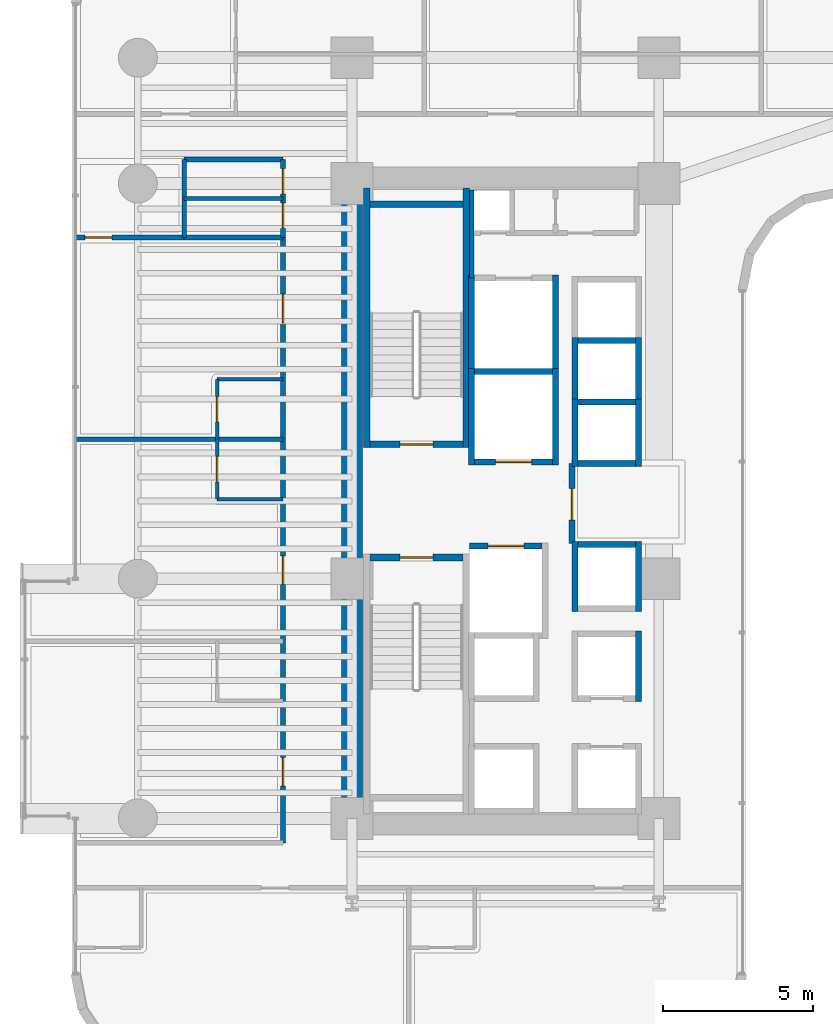
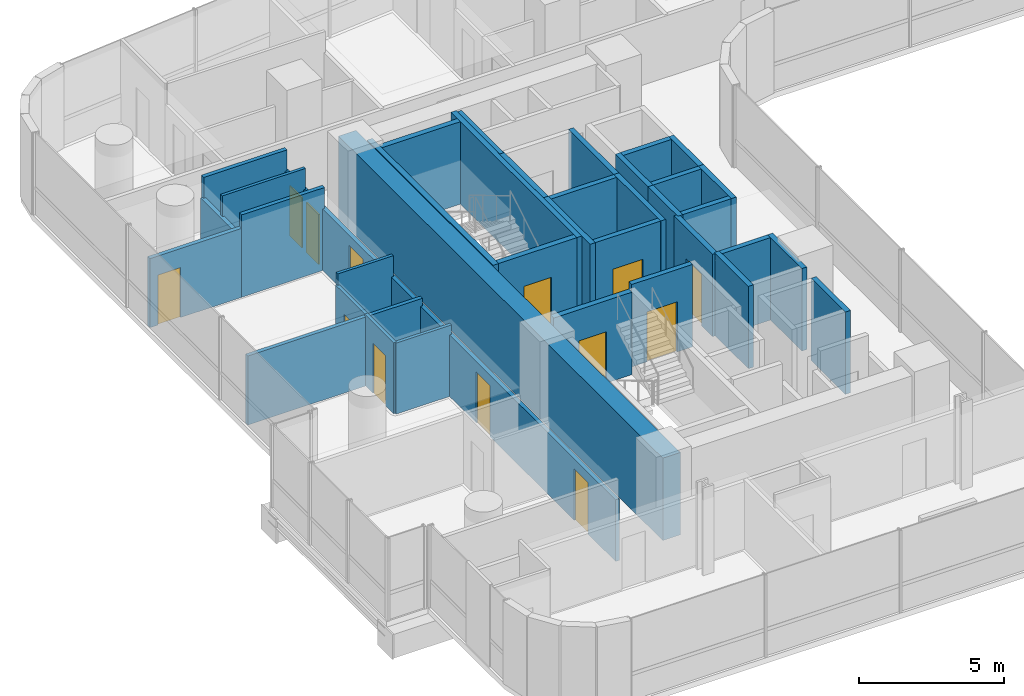
# One storey, part 31 of 41: 38 walls, 13 doors, 13 openings.
"""IFC4 building model written with IfcOpenShell, lengths in metres."""

from ifc_helpers import new_model, si_unit, direction, frame, frame_2d, origin, place, context, subcontext, project, spatial, rectangle, extrude, material, layer, layer_set, type_object, element, fill, save


model = new_model("IFC4")

# Units and contexts
model_context = context("Model", 3, precision=1e-05, world=origin(), true_north=direction((0.0, 1.0)))
body_context = subcontext(model_context, "Body", "Model", "MODEL_VIEW")
ifc_project = project(units=[si_unit("LENGTHUNIT", "METRE"), si_unit("AREAUNIT", "SQUARE_METRE"), si_unit("VOLUMEUNIT", "CUBIC_METRE"), si_unit("PLANEANGLEUNIT", "RADIAN"), si_unit("MASSUNIT", "GRAM", prefix="KILO")], contexts=[model_context])

# Site, building, storey
site_placement = place(None, origin())
site = spatial("IfcSite", under=ifc_project, at=site_placement, CompositionType="ELEMENT")
building_placement = place(site_placement, origin())
building = spatial("IfcBuilding", under=site, at=building_placement, Name="Valdorenza Pilgrim Sanctuary Tower", CompositionType="ELEMENT")
storey_placement = place(building_placement, frame((0.0, 0.0, 59.300048828125)))
storey = spatial("IfcBuildingStorey", under=building, at=storey_placement, Name="L14", CompositionType="ELEMENT", Elevation=59.300048828125)

# Walls
ifc_material_1 = material(Name="Acoustic twin-stud gypsum partition", Category="gypsum")
ifc_layer_1 = layer(ifc_material_1, 0.159912109375, Name="Acoustic twin-stud gypsum partition")
ifc_layer_set_1 = layer_set([ifc_layer_1], Name="Acoustic twin-stud gypsum partition")
wall_type_1 = type_object("IfcWallType", Name="WAL-COR-160", PredefinedType="PARTITIONING", material=ifc_layer_set_1)
wall_1_placement = place(storey_placement, frame((-18.64990234375, 7.449951171875, 0.0), z_axis=(0.0, 0.0, 1.0), x_axis=(0.0, 1.0, 0.0)))
element("IfcWall", 1, at=wall_1_placement, inside=storey, type_object=wall_type_1, Name="L14 Core A North Service West Wall", PredefinedType="PARTITIONING", context=body_context, shape_type="SweptSolid", body=[
    extrude(rectangle(XDim=2.929931640625, YDim=0.159912109375, at=frame_2d((1.46484375, 0.0))), origin(), (0.0, 0.0, 1.0), 3.4599609375),
])
wall_2_placement = place(storey_placement, frame((-28.25, 8.800048828125, 0.0), z_axis=(0.0, 0.0, 1.0), x_axis=(0.0, 1.0, 0.0)))
element("IfcWall", 2, at=wall_2_placement, inside=storey, type_object=wall_type_1, Name="L14 Washroom West Wall", PredefinedType="PARTITIONING", context=body_context, shape_type="SweptSolid", body=[
    extrude(rectangle(XDim=2.599853515625, YDim=0.159912109375, at=frame_2d((1.2998046875, 0.0))), origin(), (0.0, 0.0, 1.0), 2.5830078125),
])

# Wall, openings, doors
wall_3_placement = place(storey_placement, frame((-24.949951171875, 8.800048828125, 0.0), z_axis=(0.0, 0.0, 1.0), x_axis=(0.0, 1.0, 0.0)))
wall_3 = element("IfcWall", 3, at=wall_3_placement, inside=storey, type_object=wall_type_1, Name="L14 Washroom East Wall", PredefinedType="PARTITIONING", context=body_context, shape_type="SweptSolid", body=[
    extrude(rectangle(XDim=2.599853515625, YDim=0.159912109375, at=frame_2d((1.2998046875, 0.0))), origin(), (0.0, 0.0, 1.0), 2.5830078125),
])
opening_1_placement = place(wall_3_placement, frame((0.300048828125, 0.0, 0.0)))
opening_1 = element("IfcOpeningElement", 4, at=opening_1_placement, cuts=wall_3, Name="Opening DR-WC1", PredefinedType="OPENING", context=body_context, shape_type="SweptSolid", body=[
    extrude(rectangle(XDim=0.85009765625, YDim=2.10009765625, at=frame_2d((0.425048828125, 1.050048828125))), frame((0.0, 0.0947265625, 0.0), z_axis=(0.0, -1.0, 0.0), x_axis=(1.0, 0.0, 0.0)), (0.0, 0.0, 1.0), 0.189697265625),
])
opening_2_placement = place(wall_3_placement, frame((1.449951171875, 0.0, 0.0)))
opening_2 = element("IfcOpeningElement", 5, at=opening_2_placement, cuts=wall_3, Name="Opening DR-WC1", PredefinedType="OPENING", context=body_context, shape_type="SweptSolid", body=[
    extrude(rectangle(XDim=0.85009765625, YDim=2.10009765625, at=frame_2d((0.425048828125, 1.050048828125))), frame((0.0, 0.0947265625, 0.0), z_axis=(0.0, -1.0, 0.0), x_axis=(1.0, 0.0, 0.0)), (0.0, 0.0, 1.0), 0.189697265625),
])
ifc_material_2 = material(Name="Moisture-resistant lacquered timber", Category="wood")
door_type_1 = type_object("IfcDoorType", Name="DR-BATH-850", OperationType="NOTDEFINED", PredefinedType="DOOR", material=ifc_material_2)
door_1_placement = place(opening_1_placement, origin())
door_1 = element("IfcDoor", 6, at=door_1_placement, inside=storey, type_object=door_type_1, Name="L14 Accessible Washroom Door", OperationType="SINGLE_SWING_RIGHT", OverallHeight=2.10009765625, OverallWidth=0.85009765625, PredefinedType="DOOR", context=body_context, shape_type="SweptSolid", body=[
    extrude(rectangle(XDim=0.85009765625, YDim=2.10009765625, at=frame_2d((0.425048828125, 1.050048828125))), frame((0.0, 0.02490234375, 0.0), z_axis=(0.0, -1.0, 0.0), x_axis=(1.0, 0.0, 0.0)), (0.0, 0.0, 1.0), 0.050048828125),
])
fill(opening_1, door_1)
door_2_placement = place(opening_2_placement, origin())
door_2 = element("IfcDoor", 7, at=door_2_placement, inside=storey, type_object=door_type_1, Name="L14 Public Washroom Door", OperationType="SINGLE_SWING_LEFT", OverallHeight=2.10009765625, OverallWidth=0.85009765625, PredefinedType="DOOR", context=body_context, shape_type="SweptSolid", body=[
    extrude(rectangle(XDim=0.85009765625, YDim=2.10009765625, at=frame_2d((0.425048828125, 1.050048828125))), frame((0.0, 0.02490234375, 0.0), z_axis=(0.0, -1.0, 0.0), x_axis=(1.0, 0.0, 0.0)), (0.0, 0.0, 1.0), 0.050048828125),
])
fill(opening_2, door_2)

# Walls
for number, where, z_axis, x_axis, name in (
    (8, (-28.25, 8.800048828125, 0.0), (0.0, 0.0, 1.0), (1.0, 0.0, 0.0), "L14 Washroom South Wall"),
    (9, (-28.25, 11.39990234375, 0.0), (0.0, 0.0, 1.0), (1.0, 0.0, 0.0), "L14 Washroom North Wall"),
):
    element("IfcWall", number, at=place(storey_placement, frame(where, z_axis=z_axis, x_axis=x_axis)), inside=storey, type_object=wall_type_1, Name=name, PredefinedType="PARTITIONING", context=body_context, shape_type="SweptSolid", body=[
        extrude(rectangle(XDim=3.300048828125, YDim=0.159912109375, at=frame_2d((1.64990234375, 0.0))), origin(), (0.0, 0.0, 1.0), 3.4599609375),
    ])

# Wall, openings, doors
wall_4_placement = place(storey_placement, frame((-24.949951171875, -11.419921875, 0.0), z_axis=(0.0, 0.0, 1.0), x_axis=(0.0, 1.0, 0.0)))
wall_4 = element("IfcWall", 10, at=wall_4_placement, inside=storey, type_object=wall_type_1, Name="L14 West Wing Corridor Wall", PredefinedType="PARTITIONING", context=body_context, shape_type="SweptSolid", body=[
    extrude(rectangle(XDim=20.219970703125, YDim=0.159912109375, at=frame_2d((10.10986328125, 0.0))), origin(), (0.0, 0.0, 1.0), 2.5830078125),
])
opening_3_placement = place(wall_4_placement, frame((1.89501953125, 0.0, 0.0)))
opening_3 = element("IfcOpeningElement", 11, at=opening_3_placement, cuts=wall_4, Name="Opening DR-UN1", PredefinedType="OPENING", context=body_context, shape_type="SweptSolid", body=[
    extrude(rectangle(XDim=0.949951171875, YDim=2.14990234375, at=frame_2d((0.47509765625, 1.074951171875))), frame((0.0, 0.0947265625, 0.0), z_axis=(0.0, -1.0, 0.0), x_axis=(1.0, 0.0, 0.0)), (0.0, 0.0, 1.0), 0.189697265625),
])
opening_4_placement = place(wall_4_placement, frame((8.635009765625, 0.0, 0.0)))
opening_4 = element("IfcOpeningElement", 12, at=opening_4_placement, cuts=wall_4, Name="Opening DR-UN1", PredefinedType="OPENING", context=body_context, shape_type="SweptSolid", body=[
    extrude(rectangle(XDim=0.949951171875, YDim=2.14990234375, at=frame_2d((0.47509765625, 1.074951171875))), frame((0.0, 0.0947265625, 0.0), z_axis=(0.0, -1.0, 0.0), x_axis=(1.0, 0.0, 0.0)), (0.0, 0.0, 1.0), 0.189697265625),
])
opening_5_placement = place(wall_4_placement, frame((17.375, 0.0, 0.0)))
opening_5 = element("IfcOpeningElement", 13, at=opening_5_placement, cuts=wall_4, Name="Opening DR-UN1", PredefinedType="OPENING", context=body_context, shape_type="SweptSolid", body=[
    extrude(rectangle(XDim=0.949951171875, YDim=2.14990234375, at=frame_2d((0.47509765625, 1.074951171875))), frame((0.0, 0.0947265625, 0.0), z_axis=(0.0, -1.0, 0.0), x_axis=(1.0, 0.0, 0.0)), (0.0, 0.0, 1.0), 0.189697265625),
])
ifc_material_3 = material(Name="Solid-core European oak timber", Category="wood")
door_type_2 = type_object("IfcDoorType", Name="DR-UNIT-950", OperationType="NOTDEFINED", PredefinedType="DOOR", material=ifc_material_3)
door_3_placement = place(opening_3_placement, frame((0.949951171875, 0.0, 0.0), z_axis=(0.0, 0.0, 1.0), x_axis=(-1.0, 0.0, 0.0)))
door_3 = element("IfcDoor", 14, at=door_3_placement, inside=storey, type_object=door_type_2, Name="L14 Sanctuary Guest Room L14-W1 Entrance Door", OperationType="SINGLE_SWING_LEFT", OverallHeight=2.14990234375, OverallWidth=0.949951171875, PredefinedType="DOOR", context=body_context, shape_type="SweptSolid", body=[
    extrude(rectangle(XDim=0.949951171875, YDim=2.14990234375, at=frame_2d((0.47509765625, 1.074951171875))), frame((0.0, 0.02490234375, 0.0), z_axis=(0.0, -1.0, 0.0), x_axis=(1.0, 0.0, 0.0)), (0.0, 0.0, 1.0), 0.050048828125),
])
fill(opening_3, door_3)
door_4_placement = place(opening_4_placement, frame((0.949951171875, 0.0, 0.0), z_axis=(0.0, 0.0, 1.0), x_axis=(-1.0, 0.0, 0.0)))
door_4 = element("IfcDoor", 15, at=door_4_placement, inside=storey, type_object=door_type_2, Name="L14 Sanctuary Guest Room L14-W2 Entrance Door", OperationType="SINGLE_SWING_LEFT", OverallHeight=2.14990234375, OverallWidth=0.949951171875, PredefinedType="DOOR", context=body_context, shape_type="SweptSolid", body=[
    extrude(rectangle(XDim=0.949951171875, YDim=2.14990234375, at=frame_2d((0.47509765625, 1.074951171875))), frame((0.0, 0.02490234375, 0.0), z_axis=(0.0, -1.0, 0.0), x_axis=(1.0, 0.0, 0.0)), (0.0, 0.0, 1.0), 0.050048828125),
])
fill(opening_4, door_4)
door_5_placement = place(opening_5_placement, frame((0.949951171875, 0.0, 0.0), z_axis=(0.0, 0.0, 1.0), x_axis=(-1.0, 0.0, 0.0)))
door_5 = element("IfcDoor", 16, at=door_5_placement, inside=storey, type_object=door_type_2, Name="L14 Sanctuary Guest Room L14-W3 Entrance Door", OperationType="SINGLE_SWING_LEFT", OverallHeight=2.14990234375, OverallWidth=0.949951171875, PredefinedType="DOOR", context=body_context, shape_type="SweptSolid", body=[
    extrude(rectangle(XDim=0.949951171875, YDim=2.14990234375, at=frame_2d((0.47509765625, 1.074951171875))), frame((0.0, 0.02490234375, 0.0), z_axis=(0.0, -1.0, 0.0), x_axis=(1.0, 0.0, 0.0)), (0.0, 0.0, 1.0), 0.050048828125),
])
fill(opening_5, door_5)

# Wall, opening, door
wall_5_placement = place(storey_placement, frame((-31.889892578125, 8.800048828125, 0.0), z_axis=(0.0, 0.0, 1.0), x_axis=(1.0, 0.0, 0.0)))
wall_5 = element("IfcWall", 17, at=wall_5_placement, inside=storey, type_object=wall_type_1, Name="L14 West North Alcove Wall", PredefinedType="PARTITIONING", context=body_context, shape_type="SweptSolid", body=[
    extrude(rectangle(XDim=3.639892578125, YDim=0.159912109375, at=frame_2d((1.81982421875, 0.0))), origin(), (0.0, 0.0, 1.0), 2.89599609375),
])
opening_6_placement = place(wall_5_placement, frame((0.320068359375, 0.0, 0.0)))
opening_6 = element("IfcOpeningElement", 18, at=opening_6_placement, cuts=wall_5, Name="Opening DR-RM1", PredefinedType="OPENING", context=body_context, shape_type="SweptSolid", body=[
    extrude(rectangle(XDim=0.89990234375, YDim=2.10009765625, at=frame_2d((0.449951171875, 1.050048828125))), frame((0.0, 0.0947265625, 0.0), z_axis=(0.0, -1.0, 0.0), x_axis=(1.0, 0.0, 0.0)), (0.0, 0.0, 1.0), 0.189697265625),
])
door_type_3 = type_object("IfcDoorType", Name="DR-ROOM-900", OperationType="NOTDEFINED", PredefinedType="DOOR", material=ifc_material_3)
door_6_placement = place(opening_6_placement, origin())
door_6 = element("IfcDoor", 19, at=door_6_placement, inside=storey, type_object=door_type_3, Name="L14 Pilgrim Scholar Office L14-WN Door", OperationType="SINGLE_SWING_RIGHT", OverallHeight=2.10009765625, OverallWidth=0.89990234375, PredefinedType="DOOR", context=body_context, shape_type="SweptSolid", body=[
    extrude(rectangle(XDim=0.89990234375, YDim=2.10009765625, at=frame_2d((0.449951171875, 1.050048828125))), frame((0.0, 0.02490234375, 0.0), z_axis=(0.0, -1.0, 0.0), x_axis=(1.0, 0.0, 0.0)), (0.0, 0.0, 1.0), 0.050048828125),
])
fill(opening_6, door_6)

# Wall
ifc_material_4 = material(Name="Concrete C60/75", Category="concrete")
ifc_layer_2 = layer(ifc_material_4, 0.699951171875, Name="Concrete C60/75")
ifc_layer_set_2 = layer_set([ifc_layer_2], Name="Concrete C60/75")
wall_type_2 = type_object("IfcWallType", Name="WAL-COR-700", PredefinedType="SHEAR", material=ifc_layer_set_2)
wall_6_placement = place(storey_placement, frame((-22.64990234375, -11.14990234375, 0.0), z_axis=(0.0, 0.0, 1.0), x_axis=(0.0, 1.0, 0.0)))
element("IfcWall", 20, at=wall_6_placement, inside=storey, type_object=wall_type_2, Name="L14 Split Core A Shear Wall W", PredefinedType="SHEAR", context=body_context, shape_type="SweptSolid", body=[
    extrude(rectangle(XDim=22.2998046875, YDim=0.699951171875, at=frame_2d((11.14990234375, 0.0))), origin(), (0.0, 0.0, 1.0), 3.4599609375),
])

# Wall, opening, door
ifc_material_5 = material(Name="Gypsum shaftwall partition", Category="gypsum")
ifc_layer_3 = layer(ifc_material_5, 0.199951171875, Name="Gypsum shaftwall partition")
ifc_layer_set_3 = layer_set([ifc_layer_3], Name="Gypsum shaftwall partition")
wall_type_3 = type_object("IfcWallType", Name="WAL-FFL-200", PredefinedType="PARTITIONING", material=ifc_layer_set_3)
wall_7_placement = place(storey_placement, frame((-15.300048828125, -1.419921875, 0.0), z_axis=(0.0, 0.0, 1.0), x_axis=(0.0, 1.0, 0.0)))
wall_7 = element("IfcWall", 21, at=wall_7_placement, inside=storey, type_object=wall_type_3, Name="L14 Core A Firefighting Lobby East Wall", PredefinedType="PARTITIONING", context=body_context, shape_type="SweptSolid", body=[
    extrude(rectangle(XDim=2.669921875, YDim=0.199951171875, at=frame_2d((1.3349609375, 0.0))), origin(), (0.0, 0.0, 1.0), 3.4599609375),
])
opening_7_placement = place(wall_7_placement, frame((0.780029296875, 0.0, 0.0)))
opening_7 = element("IfcOpeningElement", 22, at=opening_7_placement, cuts=wall_7, Name="Opening DR-FL1", PredefinedType="OPENING", context=body_context, shape_type="SweptSolid", body=[
    extrude(rectangle(XDim=1.050048828125, YDim=2.14990234375, at=frame_2d((0.52490234375, 1.074951171875))), frame((0.0, 0.11474609375, 0.0), z_axis=(0.0, -1.0, 0.0), x_axis=(1.0, 0.0, 0.0)), (0.0, 0.0, 1.0), 0.229736328125),
])
ifc_material_6 = material(Name="Painted galvanized steel", Category="steel")
door_type_4 = type_object("IfcDoorType", Name="DR-FFL-1050", OperationType="NOTDEFINED", PredefinedType="DOOR", material=ifc_material_6)
door_7_placement = place(opening_7_placement, origin())
door_7 = element("IfcDoor", 23, at=door_7_placement, inside=storey, type_object=door_type_4, Name="L14 Core A Firefighting Lobby Door", OperationType="SINGLE_SWING_RIGHT", OverallHeight=2.14990234375, OverallWidth=1.050048828125, PredefinedType="DOOR", context=body_context, shape_type="SweptSolid", body=[
    extrude(rectangle(XDim=1.050048828125, YDim=2.14990234375, at=frame_2d((0.52490234375, 1.074951171875))), frame((0.0, 0.02490234375, 0.0), z_axis=(0.0, -1.0, 0.0), x_axis=(1.0, 0.0, 0.0)), (0.0, 0.0, 1.0), 0.050048828125),
])
fill(opening_7, door_7)

# Walls
ifc_material_7 = material(Name="Moisture-resistant gypsum partition", Category="gypsum")
ifc_layer_4 = layer(ifc_material_7, 0.1201171875, Name="Moisture-resistant gypsum partition")
ifc_layer_set_4 = layer_set([ifc_layer_4], Name="Moisture-resistant gypsum partition")
wall_type_4 = type_object("IfcWallType", Name="WAL-INT-120", PredefinedType="PARTITIONING", material=ifc_layer_set_4)
wall_8_placement = place(storey_placement, frame((-28.25, 10.10009765625, 0.0), z_axis=(0.0, 0.0, 1.0), x_axis=(1.0, 0.0, 0.0)))
element("IfcWall", 24, at=wall_8_placement, inside=storey, type_object=wall_type_4, Name="L14 Washroom Divider Wall", PredefinedType="PARTITIONING", context=body_context, shape_type="SweptSolid", body=[
    extrude(rectangle(XDim=3.300048828125, YDim=0.1201171875, at=frame_2d((1.64990234375, 0.0))), origin(), (0.0, 0.0, 1.0), 3.4599609375),
])
wall_9_placement = place(storey_placement, frame((-27.14990234375, 0.06005859375, 0.0), z_axis=(0.0, 0.0, 1.0), x_axis=(1.0, 0.0, 0.0)))
element("IfcWall", 25, at=wall_9_placement, inside=storey, type_object=wall_type_4, Name="L14 Sanctuary Guest Room L14-W2 En-suite South Wall", PredefinedType="PARTITIONING", context=body_context, shape_type="SweptSolid", body=[
    extrude(rectangle(XDim=2.199951171875, YDim=0.1201171875, at=frame_2d((1.10009765625, 0.0))), origin(), (0.0, 0.0, 1.0), 2.97900390625),
])

# Wall, opening, door
wall_10_placement = place(storey_placement, frame((-27.14990234375, 0.06005859375, 0.0), z_axis=(0.0, 0.0, 1.0), x_axis=(0.0, 1.0, 0.0)))
wall_10 = element("IfcWall", 26, at=wall_10_placement, inside=storey, type_object=wall_type_4, Name="L14 Sanctuary Guest Room L14-W2 En-suite Door Wall", PredefinedType="PARTITIONING", context=body_context, shape_type="SweptSolid", body=[
    extrude(rectangle(XDim=2.0, YDim=0.1201171875, at=frame_2d((1.0, 0.0))), origin(), (0.0, 0.0, 1.0), 2.97900390625),
])
opening_8_placement = place(wall_10_placement, frame((0.574951171875, 0.0, 0.0)))
opening_8 = element("IfcOpeningElement", 27, at=opening_8_placement, cuts=wall_10, Name="Opening DR-WC1", PredefinedType="OPENING", context=body_context, shape_type="SweptSolid", body=[
    extrude(rectangle(XDim=0.85009765625, YDim=2.10009765625, at=frame_2d((0.425048828125, 1.050048828125))), frame((0.0, 0.074951171875, 0.0), z_axis=(0.0, -1.0, 0.0), x_axis=(1.0, 0.0, 0.0)), (0.0, 0.0, 1.0), 0.14990234375),
])
door_8_placement = place(opening_8_placement, origin())
door_8 = element("IfcDoor", 28, at=door_8_placement, inside=storey, type_object=door_type_1, Name="L14 Sanctuary Guest Room L14-W2 En-suite Bathroom Door", OperationType="SINGLE_SWING_RIGHT", OverallHeight=2.10009765625, OverallWidth=0.85009765625, PredefinedType="DOOR", context=body_context, shape_type="SweptSolid", body=[
    extrude(rectangle(XDim=0.85009765625, YDim=2.10009765625, at=frame_2d((0.425048828125, 1.050048828125))), frame((0.0, 0.02490234375, 0.0), z_axis=(0.0, -1.0, 0.0), x_axis=(1.0, 0.0, 0.0)), (0.0, 0.0, 1.0), 0.050048828125),
])
fill(opening_8, door_8)

# Wall
wall_11_placement = place(storey_placement, frame((-27.14990234375, 4.06005859375, 0.0), z_axis=(0.0, 0.0, 1.0), x_axis=(1.0, 0.0, 0.0)))
element("IfcWall", 29, at=wall_11_placement, inside=storey, type_object=wall_type_4, Name="L14 Sanctuary Guest Room L14-W3 En-suite North Wall", PredefinedType="PARTITIONING", context=body_context, shape_type="SweptSolid", body=[
    extrude(rectangle(XDim=2.199951171875, YDim=0.1201171875, at=frame_2d((1.10009765625, 0.0))), origin(), (0.0, 0.0, 1.0), 3.4599609375),
])

# Wall, opening, door
wall_12_placement = place(storey_placement, frame((-27.14990234375, 2.06005859375, 0.0), z_axis=(0.0, 0.0, 1.0), x_axis=(0.0, 1.0, 0.0)))
wall_12 = element("IfcWall", 30, at=wall_12_placement, inside=storey, type_object=wall_type_4, Name="L14 Sanctuary Guest Room L14-W3 En-suite Door Wall", PredefinedType="PARTITIONING", context=body_context, shape_type="SweptSolid", body=[
    extrude(rectangle(XDim=2.0, YDim=0.1201171875, at=frame_2d((1.0, 0.0))), origin(), (0.0, 0.0, 1.0), 2.97900390625),
])
opening_9_placement = place(wall_12_placement, frame((0.574951171875, 0.0, 0.0)))
opening_9 = element("IfcOpeningElement", 31, at=opening_9_placement, cuts=wall_12, Name="Opening DR-WC1", PredefinedType="OPENING", context=body_context, shape_type="SweptSolid", body=[
    extrude(rectangle(XDim=0.85009765625, YDim=2.10009765625, at=frame_2d((0.425048828125, 1.050048828125))), frame((0.0, 0.074951171875, 0.0), z_axis=(0.0, -1.0, 0.0), x_axis=(1.0, 0.0, 0.0)), (0.0, 0.0, 1.0), 0.14990234375),
])
door_9_placement = place(opening_9_placement, origin())
door_9 = element("IfcDoor", 32, at=door_9_placement, inside=storey, type_object=door_type_1, Name="L14 Sanctuary Guest Room L14-W3 En-suite Bathroom Door", OperationType="SINGLE_SWING_RIGHT", OverallHeight=2.10009765625, OverallWidth=0.85009765625, PredefinedType="DOOR", context=body_context, shape_type="SweptSolid", body=[
    extrude(rectangle(XDim=0.85009765625, YDim=2.10009765625, at=frame_2d((0.425048828125, 1.050048828125))), frame((0.0, 0.02490234375, 0.0), z_axis=(0.0, -1.0, 0.0), x_axis=(1.0, 0.0, 0.0)), (0.0, 0.0, 1.0), 0.050048828125),
])
fill(opening_9, door_9)

# Walls
ifc_material_8 = material(Name="Autoclaved aerated concrete blockwork", Category="masonry")
ifc_layer_5 = layer(ifc_material_8, 0.199951171875, Name="Autoclaved aerated concrete blockwork")
ifc_layer_set_5 = layer_set([ifc_layer_5], Name="Autoclaved aerated concrete blockwork")
wall_type_5 = type_object("IfcWallType", Name="WAL-SHF-200", PredefinedType="MOVABLE", material=ifc_layer_set_5)
for number, where, z_axis, x_axis, name in (
    (33, (-18.64990234375, 1.199951171875, 0.0), (0.0, 0.0, 1.0), (0.0, 1.0, 0.0), "L14 Lift FFL-01 Hoistway Wall West"),
    (34, (-15.85009765625, 1.199951171875, 0.0), (0.0, 0.0, 1.0), (0.0, 1.0, 0.0), "L14 Lift FFL-01 Hoistway Wall East"),
):
    element("IfcWall", number, at=place(storey_placement, frame(where, z_axis=z_axis, x_axis=x_axis)), inside=storey, type_object=wall_type_5, Name=name, PredefinedType="MOVABLE", context=body_context, shape_type="SweptSolid", body=[
        extrude(rectangle(XDim=3.22509765625, YDim=0.199951171875, at=frame_2d((1.612548828125, 0.0))), origin(), (0.0, 0.0, 1.0), 3.4599609375),
    ])

# Wall, opening, door
wall_13_placement = place(storey_placement, frame((-18.550048828125, 1.300048828125, 0.0), z_axis=(0.0, 0.0, 1.0), x_axis=(1.0, 0.0, 0.0)))
wall_13 = element("IfcWall", 35, at=wall_13_placement, inside=storey, type_object=wall_type_5, Name="L14 Lift FFL-01 Hoistway Wall South", PredefinedType="MOVABLE", context=body_context, shape_type="SweptSolid", body=[
    extrude(rectangle(XDim=2.60009765625, YDim=0.199951171875, at=frame_2d((1.300048828125, 0.0))), origin(), (0.0, 0.0, 1.0), 3.4599609375),
])
opening_10_placement = place(wall_13_placement, frame((0.699951171875, 0.0, 0.0)))
opening_10 = element("IfcOpeningElement", 36, at=opening_10_placement, cuts=wall_13, Name="Opening LD-02", PredefinedType="OPENING", context=body_context, shape_type="SweptSolid", body=[
    extrude(rectangle(XDim=1.199951171875, YDim=2.10009765625, at=frame_2d((0.60009765625, 1.050048828125))), frame((0.0, 0.11474609375, 0.0), z_axis=(0.0, -1.0, 0.0), x_axis=(1.0, 0.0, 0.0)), (0.0, 0.0, 1.0), 0.229736328125),
])
ifc_material_9 = material(Name="Brushed stainless steel Grade 316", Category="steel")
door_type_5 = type_object("IfcDoorType", Name="DR-LFT-1200", OperationType="DOUBLE_DOOR_SLIDING", PredefinedType="DOOR", material=ifc_material_9)
door_10_placement = place(opening_10_placement, origin())
door_10 = element("IfcDoor", 37, at=door_10_placement, inside=storey, type_object=door_type_5, Name="L14 Lift FFL-01 Sliding Landing Door", OperationType="DOUBLE_DOOR_SLIDING", OverallHeight=2.10009765625, OverallWidth=1.199951171875, PredefinedType="DOOR", context=body_context, shape_type="SweptSolid", body=[
    extrude(rectangle(XDim=1.199951171875, YDim=2.10009765625, at=frame_2d((0.60009765625, 1.050048828125))), frame((0.0, 0.02490234375, 0.0), z_axis=(0.0, -1.0, 0.0), x_axis=(1.0, 0.0, 0.0)), (0.0, 0.0, 1.0), 0.050048828125),
])
fill(opening_10, door_10)

# Wall
wall_14_placement = place(storey_placement, frame((-18.550048828125, 4.324951171875, 0.0), z_axis=(0.0, 0.0, 1.0), x_axis=(1.0, 0.0, 0.0)))
element("IfcWall", 38, at=wall_14_placement, inside=storey, type_object=wall_type_5, Name="L14 Lift FFL-01 Hoistway Wall North", PredefinedType="MOVABLE", context=body_context, shape_type="SweptSolid", body=[
    extrude(rectangle(XDim=2.60009765625, YDim=0.199951171875, at=frame_2d((1.300048828125, 0.0))), origin(), (0.0, 0.0, 1.0), 3.4599609375),
])

# Wall, opening, door
wall_15_placement = place(storey_placement, frame((-18.719970703125, -1.5, 0.0), z_axis=(0.0, 0.0, 1.0), x_axis=(1.0, 0.0, 0.0)))
wall_15 = element("IfcWall", 39, at=wall_15_placement, inside=storey, type_object=wall_type_5, Name="L14 Lift FFL-02 Hoistway Wall North", PredefinedType="MOVABLE", context=body_context, shape_type="SweptSolid", body=[
    extrude(rectangle(XDim=2.419921875, YDim=0.199951171875, at=frame_2d((1.2099609375, 0.0))), origin(), (0.0, 0.0, 1.0), 3.4599609375),
])
opening_11_placement = place(wall_15_placement, frame((0.610107421875, 0.0, 0.0)))
opening_11 = element("IfcOpeningElement", 40, at=opening_11_placement, cuts=wall_15, Name="Opening LD-02", PredefinedType="OPENING", context=body_context, shape_type="SweptSolid", body=[
    extrude(rectangle(XDim=1.199951171875, YDim=2.10009765625, at=frame_2d((0.60009765625, 1.050048828125))), frame((0.0, 0.11474609375, 0.0), z_axis=(0.0, -1.0, 0.0), x_axis=(1.0, 0.0, 0.0)), (0.0, 0.0, 1.0), 0.229736328125),
])
door_11_placement = place(opening_11_placement, origin())
door_11 = element("IfcDoor", 41, at=door_11_placement, inside=storey, type_object=door_type_5, Name="L14 Lift FFL-02 Sliding Landing Door", OperationType="DOUBLE_DOOR_SLIDING", OverallHeight=2.10009765625, OverallWidth=1.199951171875, PredefinedType="DOOR", context=body_context, shape_type="SweptSolid", body=[
    extrude(rectangle(XDim=1.199951171875, YDim=2.10009765625, at=frame_2d((0.60009765625, 1.050048828125))), frame((0.0, 0.02490234375, 0.0), z_axis=(0.0, -1.0, 0.0), x_axis=(1.0, 0.0, 0.0)), (0.0, 0.0, 1.0), 0.050048828125),
])
fill(opening_11, door_11)

# Walls
for number, where, z_axis, x_axis, name in (
    (42, (-18.64990234375, 4.22509765625, 0.0), (0.0, 0.0, 1.0), (0.0, 1.0, 0.0), "L14 Lift SVL-01 Hoistway Wall West"),
    (43, (-15.85009765625, 4.22509765625, 0.0), (0.0, 0.0, 1.0), (0.0, 1.0, 0.0), "L14 Lift SVL-01 Hoistway Wall East"),
):
    element("IfcWall", number, at=place(storey_placement, frame(where, z_axis=z_axis, x_axis=x_axis)), inside=storey, type_object=wall_type_5, Name=name, PredefinedType="MOVABLE", context=body_context, shape_type="SweptSolid", body=[
        extrude(rectangle(XDim=3.324951171875, YDim=0.199951171875, at=frame_2d((1.66259765625, 0.0))), origin(), (0.0, 0.0, 1.0), 3.4599609375),
    ])
wall_16_placement = place(storey_placement, frame((-13.080078125, -6.699951171875, 0.0), z_axis=(0.0, 0.0, 1.0), x_axis=(0.0, 1.0, 0.0)))
element("IfcWall", 44, at=wall_16_placement, inside=storey, type_object=wall_type_5, Name="L14 Lift PL-02 Hoistway Wall East", PredefinedType="MOVABLE", context=body_context, shape_type="SweptSolid", body=[
    extrude(rectangle(XDim=2.349853515625, YDim=0.199951171875, at=frame_2d((1.1748046875, 0.0))), origin(), (0.0, 0.0, 1.0), 3.4599609375),
])
for number, where, z_axis, x_axis, name in (
    (45, (-15.199951171875, 1.14990234375, 0.0), (0.0, 0.0, 1.0), (0.0, 1.0, 0.0), "L14 Lift PL-06 Hoistway Wall West"),
    (46, (-13.080078125, 1.14990234375, 0.0), (0.0, 0.0, 1.0), (0.0, 1.0, 0.0), "L14 Lift PL-06 Hoistway Wall East"),
):
    element("IfcWall", number, at=place(storey_placement, frame(where, z_axis=z_axis, x_axis=x_axis)), inside=storey, type_object=wall_type_5, Name=name, PredefinedType="MOVABLE", context=body_context, shape_type="SweptSolid", body=[
        extrude(rectangle(XDim=2.25, YDim=0.199951171875, at=frame_2d((1.125, 0.0))), origin(), (0.0, 0.0, 1.0), 3.4599609375),
    ])
wall_17_placement = place(storey_placement, frame((-15.10009765625, 1.25, 0.0), z_axis=(0.0, 0.0, 1.0), x_axis=(1.0, 0.0, 0.0)))
element("IfcWall", 47, at=wall_17_placement, inside=storey, type_object=wall_type_5, Name="L14 Lift PL-06 Hoistway Wall South", PredefinedType="MOVABLE", context=body_context, shape_type="SweptSolid", body=[
    extrude(rectangle(XDim=1.920166015625, YDim=0.199951171875, at=frame_2d((0.9599609375, 0.0))), origin(), (0.0, 0.0, 1.0), 3.4599609375),
])
for number, where, z_axis, x_axis, name in (
    (48, (-15.199951171875, 3.199951171875, 0.0), (0.0, 0.0, 1.0), (0.0, 1.0, 0.0), "L14 Lift PL-09 Hoistway Wall West"),
    (49, (-13.080078125, 3.199951171875, 0.0), (0.0, 0.0, 1.0), (0.0, 1.0, 0.0), "L14 Lift PL-09 Hoistway Wall East"),
):
    element("IfcWall", number, at=place(storey_placement, frame(where, z_axis=z_axis, x_axis=x_axis)), inside=storey, type_object=wall_type_5, Name=name, PredefinedType="MOVABLE", context=body_context, shape_type="SweptSolid", body=[
        extrude(rectangle(XDim=2.25, YDim=0.199951171875, at=frame_2d((1.125, 0.0))), origin(), (0.0, 0.0, 1.0), 3.4599609375),
    ])
for number, where, z_axis, x_axis, name in (
    (50, (-15.10009765625, 3.300048828125, 0.0), (0.0, 0.0, 1.0), (1.0, 0.0, 0.0), "L14 Lift PL-09 Hoistway Wall South"),
    (51, (-15.10009765625, 5.35009765625, 0.0), (0.0, 0.0, 1.0), (1.0, 0.0, 0.0), "L14 Lift PL-09 Hoistway Wall North"),
):
    element("IfcWall", number, at=place(storey_placement, frame(where, z_axis=z_axis, x_axis=x_axis)), inside=storey, type_object=wall_type_5, Name=name, PredefinedType="MOVABLE", context=body_context, shape_type="SweptSolid", body=[
        extrude(rectangle(XDim=1.920166015625, YDim=0.199951171875, at=frame_2d((0.9599609375, 0.0))), origin(), (0.0, 0.0, 1.0), 3.4599609375),
    ])
for number, where, z_axis, x_axis, name in (
    (52, (-15.199951171875, -3.699951171875, 0.0), (0.0, 0.0, 1.0), (0.0, 1.0, 0.0), "L14 Lift PL-12 Hoistway Wall West"),
    (53, (-13.080078125, -3.699951171875, 0.0), (0.0, 0.0, 1.0), (0.0, 1.0, 0.0), "L14 Lift PL-12 Hoistway Wall East"),
):
    element("IfcWall", number, at=place(storey_placement, frame(where, z_axis=z_axis, x_axis=x_axis)), inside=storey, type_object=wall_type_5, Name=name, PredefinedType="MOVABLE", context=body_context, shape_type="SweptSolid", body=[
        extrude(rectangle(XDim=2.349853515625, YDim=0.199951171875, at=frame_2d((1.1748046875, 0.0))), origin(), (0.0, 0.0, 1.0), 3.4599609375),
    ])
wall_18_placement = place(storey_placement, frame((-15.10009765625, -1.449951171875, 0.0), z_axis=(0.0, 0.0, 1.0), x_axis=(1.0, 0.0, 0.0)))
element("IfcWall", 54, at=wall_18_placement, inside=storey, type_object=wall_type_5, Name="L14 Lift PL-12 Hoistway Wall North", PredefinedType="MOVABLE", context=body_context, shape_type="SweptSolid", body=[
    extrude(rectangle(XDim=1.920166015625, YDim=0.199951171875, at=frame_2d((0.9599609375, 0.0))), origin(), (0.0, 0.0, 1.0), 3.4599609375),
])
ifc_material_10 = material(Name="Concrete C40/50", Category="concrete")
ifc_layer_6 = layer(ifc_material_10, 0.219970703125, Name="Concrete C40/50")
ifc_layer_set_6 = layer_set([ifc_layer_6], Name="Concrete C40/50")
wall_type_6 = type_object("IfcWallType", Name="WAL-STR-SHF-220", PredefinedType="SHEAR", material=ifc_layer_set_6)
for number, where, z_axis, x_axis, name in (
    (55, (-22.159912109375, 1.780029296875, 0.0), (0.0, 0.0, 1.0), (0.0, 1.0, 0.0), "L14 ST-A1 Structural Stairwell Wall W"),
    (56, (-18.830078125, 1.780029296875, 0.0), (0.0, 0.0, 1.0), (0.0, 1.0, 0.0), "L14 ST-A1 Structural Stairwell Wall E"),
):
    element("IfcWall", number, at=place(storey_placement, frame(where, z_axis=z_axis, x_axis=x_axis)), inside=storey, type_object=wall_type_6, Name=name, PredefinedType="SHEAR", context=body_context, shape_type="SweptSolid", body=[
        extrude(rectangle(XDim=8.669921875, YDim=0.219970703125, at=frame_2d((4.3349609375, 0.0))), origin(), (0.0, 0.0, 1.0), 3.4599609375),
    ])

# Wall, opening, door
wall_19_placement = place(storey_placement, frame((-22.050048828125, 1.889892578125, 0.0), z_axis=(0.0, 0.0, 1.0), x_axis=(1.0, 0.0, 0.0)))
wall_19 = element("IfcWall", 57, at=wall_19_placement, inside=storey, type_object=wall_type_6, Name="L14 ST-A1 Structural Stairwell Wall S", PredefinedType="SHEAR", context=body_context, shape_type="SweptSolid", body=[
    extrude(rectangle(XDim=3.110107421875, YDim=0.219970703125, at=frame_2d((1.55517578125, 0.0))), origin(), (0.0, 0.0, 1.0), 3.4599609375),
])
opening_12_placement = place(wall_19_placement, frame((1.0, 0.0, 0.0)))
opening_12 = element("IfcOpeningElement", 58, at=opening_12_placement, cuts=wall_19, Name="Opening DR-ST1", PredefinedType="OPENING", context=body_context, shape_type="SweptSolid", body=[
    extrude(rectangle(XDim=1.10009765625, YDim=2.14990234375, at=frame_2d((0.550048828125, 1.074951171875))), frame((0.0, 0.125, 0.0), z_axis=(0.0, -1.0, 0.0), x_axis=(1.0, 0.0, 0.0)), (0.0, 0.0, 1.0), 0.249755859375),
])
door_type_6 = type_object("IfcDoorType", Name="DR-STAIR-1100", OperationType="NOTDEFINED", PredefinedType="DOOR", material=ifc_material_6)
door_12_placement = place(opening_12_placement, frame((1.10009765625, 0.0, 0.0), z_axis=(0.0, 0.0, 1.0), x_axis=(-1.0, 0.0, 0.0)))
door_12 = element("IfcDoor", 59, at=door_12_placement, inside=storey, type_object=door_type_6, Name="L14 Exit Stair ST-A1 Door", OperationType="SINGLE_SWING_LEFT", OverallHeight=2.14990234375, OverallWidth=1.10009765625, PredefinedType="DOOR", context=body_context, shape_type="SweptSolid", body=[
    extrude(rectangle(XDim=1.10009765625, YDim=2.14990234375, at=frame_2d((0.550048828125, 1.074951171875))), frame((0.0, 0.02490234375, 0.0), z_axis=(0.0, -1.0, 0.0), x_axis=(1.0, 0.0, 0.0)), (0.0, 0.0, 1.0), 0.050048828125),
])
fill(opening_12, door_12)

# Wall
wall_20_placement = place(storey_placement, frame((-22.050048828125, 9.909912109375, 0.0), z_axis=(0.0, 0.0, 1.0), x_axis=(1.0, 0.0, 0.0)))
element("IfcWall", 60, at=wall_20_placement, inside=storey, type_object=wall_type_6, Name="L14 ST-A1 Structural Stairwell Wall N", PredefinedType="SHEAR", context=body_context, shape_type="SweptSolid", body=[
    extrude(rectangle(XDim=3.110107421875, YDim=0.219970703125, at=frame_2d((1.55517578125, 0.0))), origin(), (0.0, 0.0, 1.0), 3.4599609375),
])

# Wall, opening, door
wall_21_placement = place(storey_placement, frame((-22.050048828125, -1.889892578125, 0.0), z_axis=(0.0, 0.0, 1.0), x_axis=(1.0, 0.0, 0.0)))
wall_21 = element("IfcWall", 61, at=wall_21_placement, inside=storey, type_object=wall_type_6, Name="L14 ST-A2 Structural Stairwell Wall N", PredefinedType="SHEAR", context=body_context, shape_type="SweptSolid", body=[
    extrude(rectangle(XDim=3.110107421875, YDim=0.219970703125, at=frame_2d((1.55517578125, 0.0))), origin(), (0.0, 0.0, 1.0), 3.4599609375),
])
opening_13_placement = place(wall_21_placement, frame((1.0, 0.0, 0.0)))
opening_13 = element("IfcOpeningElement", 62, at=opening_13_placement, cuts=wall_21, Name="Opening DR-ST1", PredefinedType="OPENING", context=body_context, shape_type="SweptSolid", body=[
    extrude(rectangle(XDim=1.10009765625, YDim=2.14990234375, at=frame_2d((0.550048828125, 1.074951171875))), frame((0.0, 0.125, 0.0), z_axis=(0.0, -1.0, 0.0), x_axis=(1.0, 0.0, 0.0)), (0.0, 0.0, 1.0), 0.249755859375),
])
door_13_placement = place(opening_13_placement, origin())
door_13 = element("IfcDoor", 63, at=door_13_placement, inside=storey, type_object=door_type_6, Name="L14 Exit Stair ST-A2 Door", OperationType="SINGLE_SWING_RIGHT", OverallHeight=2.14990234375, OverallWidth=1.10009765625, PredefinedType="DOOR", context=body_context, shape_type="SweptSolid", body=[
    extrude(rectangle(XDim=1.10009765625, YDim=2.14990234375, at=frame_2d((0.550048828125, 1.074951171875))), frame((0.0, 0.02490234375, 0.0), z_axis=(0.0, -1.0, 0.0), x_axis=(1.0, 0.0, 0.0)), (0.0, 0.0, 1.0), 0.050048828125),
])
fill(opening_13, door_13)

# Wall
ifc_layer_7 = layer(ifc_material_1, 0.14990234375, Name="Acoustic twin-stud gypsum partition")
ifc_layer_set_7 = layer_set([ifc_layer_7], Name="Acoustic twin-stud gypsum partition")
wall_type_7 = type_object("IfcWallType", Name="WAL-UNT-150", PredefinedType="PARTITIONING", material=ifc_layer_set_7)
wall_22_placement = place(storey_placement, frame((-31.889892578125, 2.06005859375, 0.0), z_axis=(0.0, 0.0, 1.0), x_axis=(1.0, 0.0, 0.0)))
element("IfcWall", 64, at=wall_22_placement, inside=storey, type_object=wall_type_7, Name="L14 West Apt Demising 2", PredefinedType="PARTITIONING", context=body_context, shape_type="SweptSolid", body=[
    extrude(rectangle(XDim=6.93994140625, YDim=0.14990234375, at=frame_2d((3.469970703125, 0.0))), origin(), (0.0, 0.0, 1.0), 2.89599609375),
])

save(model, "model.ifc")
